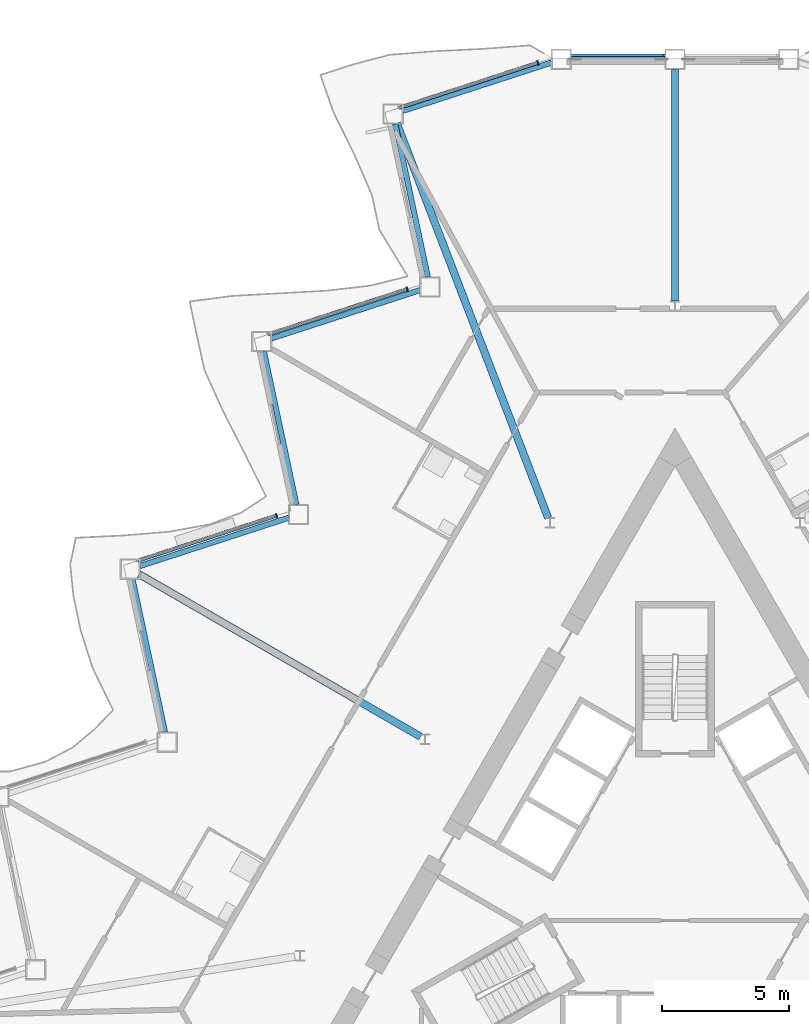
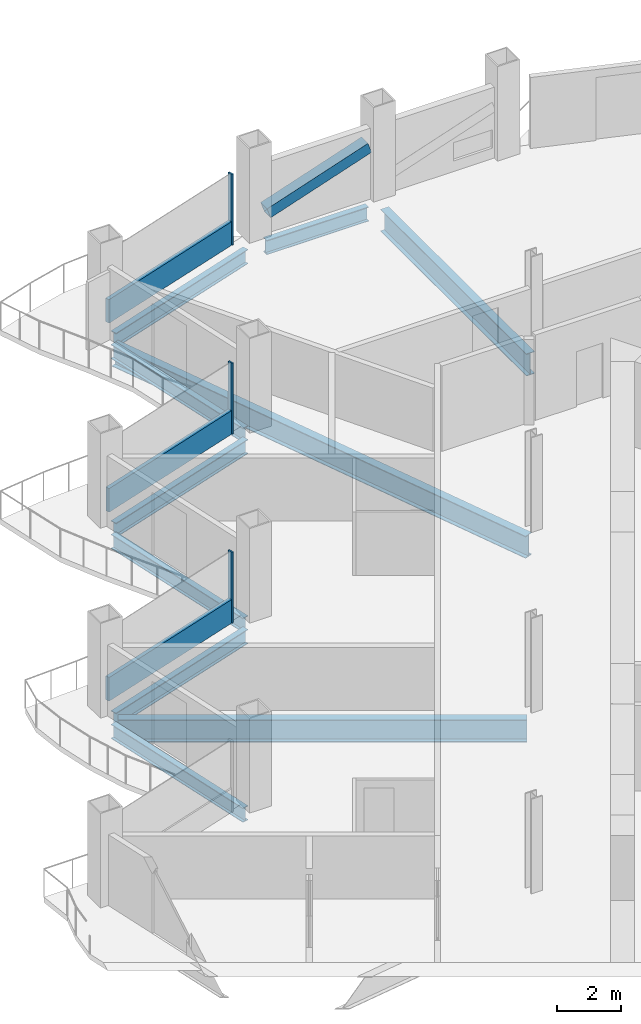
# One storey, part 7 of 22: 10 beams, 7 members, 3 elements without a shape of their own.
"""IFC4 building model written with IfcOpenShell, lengths in metres."""

from ifc_helpers import new_model, si_unit, direction, frame, origin, origin_2d, place, context, subcontext, project, spatial, rectangle, hollow_rectangle, i_section, extrude, material, layer, layer_set, material_profile, profile_set, type_object, element, aggregate, save


model = new_model("IFC4")

# Units and contexts
model_context = context("Model", 3, precision=1e-05, world=origin(), true_north=direction((0.0, 1.0)))
body_context = subcontext(model_context, "Body", "Model", "MODEL_VIEW")
ifc_project = project(units=[si_unit("LENGTHUNIT", "METRE"), si_unit("AREAUNIT", "SQUARE_METRE"), si_unit("VOLUMEUNIT", "CUBIC_METRE"), si_unit("PLANEANGLEUNIT", "RADIAN"), si_unit("MASSUNIT", "GRAM", prefix="KILO")], contexts=[model_context])

# Site, building, storey
site_placement = place(None, origin())
site = spatial("IfcSite", under=ifc_project, at=site_placement, CompositionType="ELEMENT")
building_placement = place(site_placement, origin())
building = spatial("IfcBuilding", under=site, at=building_placement, Name="Cormorant Prow Tower", CompositionType="ELEMENT")
storey_placement = place(building_placement, frame((0.0, 0.0, 198.0)))
storey = spatial("IfcBuildingStorey", under=building, at=storey_placement, Name="L43", CompositionType="ELEMENT", Elevation=198.0)

# Member
ifc_material_1 = material(Name="Structural steel ASTM A500 Gr C", Category="steel")
ifc_material_profile_1 = material_profile(ifc_material_1, hollow_rectangle(XDim=0.406494140625, YDim=0.406494140625, WallThickness=0.01171875, at=origin_2d()), Name="HSS16x16x1/2")
ifc_profile_set_1 = profile_set([ifc_material_profile_1], Name="Structural steel ASTM A500 Gr C")
member_type_1 = type_object("IfcMemberType", Name="Chamfer brace HSS16x16x1/2", PredefinedType="BRACE", material=ifc_profile_set_1)
member_1_placement = place(storey_placement, frame((-4.05322265625, 32.3994140625, 0.739990234375), z_axis=(0.947980792039, 0.0, 0.318327532464), x_axis=(0.0, 1.0, 0.0)))
element("IfcMember", 1, at=member_1_placement, inside=storey, type_object=member_type_1, Name="Chamfer brace BR2 at N01 L43", PredefinedType="BRACE", context=body_context, shape_type="SweptSolid", body=[
    extrude(hollow_rectangle(XDim=0.406494140625, YDim=0.406494140625, WallThickness=0.01171875, at=origin_2d()), origin(), (0.0, 0.0, 1.0), 3.83544921875),
])

# Curtain wall, member
ifc_material_2 = material(Name="Aluminium 6063-T6", Category="aluminium")
ifc_layer = layer(ifc_material_2, 0.179931640625)
ifc_layer_set = layer_set([ifc_layer], Name="Aluminium 6063-T6")
curtain_wall_type = type_object("IfcCurtainWallType", Name="Hotel unitised curtain wall 180", PredefinedType="NOTDEFINED", material=ifc_layer_set)
curtain_wall_1_placement = place(storey_placement, origin())
curtain_wall_1 = element("IfcCurtainWall", 2, at=curtain_wall_1_placement, inside=storey, type_object=curtain_wall_type, Name="Hotel curtain wall WNW00", PredefinedType="NOTDEFINED")
ifc_material_3 = material(Name="Aluminium 6063-T6", Category="aluminium")
ifc_material_profile_2 = material_profile(ifc_material_3, rectangle(XDim=0.179931640625, YDim=0.06005859375, at=origin_2d()), Name="Hotel mullion 60x180")
ifc_profile_set_2 = profile_set([ifc_material_profile_2], Name="Aluminium 6063-T6")
member_type_2 = type_object("IfcMemberType", Name="Hotel mullion 60x180", PredefinedType="MULLION", material=ifc_profile_set_2)
member_2_placement = place(storey_placement, frame((-5.388427734375, 32.26513671875, 0.0), z_axis=(0.0, 0.0, 1.0), x_axis=(0.309016940594, -0.95105653377, 0.0)))
member_2 = element("IfcMember", 3, at=member_2_placement, type_object=member_type_2, Name="Hotel mullion WNW00", PredefinedType="MULLION", context=body_context, shape_type="SweptSolid", body=[
    extrude(rectangle(XDim=0.179931640625, YDim=0.06005859375, at=origin_2d()), origin(), (0.0, 0.0, 1.0), 2.700927734375),
])

curtain_wall_2_placement = place(storey_placement, origin())
curtain_wall_2 = element("IfcCurtainWall", 4, at=curtain_wall_2_placement, inside=storey, type_object=curtain_wall_type, Name="Hotel curtain wall WNW02", PredefinedType="NOTDEFINED")
member_3_placement = place(storey_placement, frame((-10.52685546875, 23.364990234375, 0.0), z_axis=(0.0, 0.0, 1.0), x_axis=(0.309017113905, -0.951056477458, 0.0)))
member_3 = element("IfcMember", 5, at=member_3_placement, type_object=member_type_2, Name="Hotel mullion WNW02", PredefinedType="MULLION", context=body_context, shape_type="SweptSolid", body=[
    extrude(rectangle(XDim=0.179931640625, YDim=0.06005859375, at=origin_2d()), origin(), (0.0, 0.0, 1.0), 2.700927734375),
])

curtain_wall_3_placement = place(storey_placement, origin())
curtain_wall_3 = element("IfcCurtainWall", 6, at=curtain_wall_3_placement, inside=storey, type_object=curtain_wall_type, Name="Hotel curtain wall WNW04", PredefinedType="NOTDEFINED")
member_4_placement = place(storey_placement, frame((-15.66552734375, 14.46484375, 0.0), z_axis=(0.0, 0.0, 1.0), x_axis=(0.309016983088, -0.951056519963, 0.0)))
member_4 = element("IfcMember", 7, at=member_4_placement, type_object=member_type_2, Name="Hotel mullion WNW04", PredefinedType="MULLION", context=body_context, shape_type="SweptSolid", body=[
    extrude(rectangle(XDim=0.179931640625, YDim=0.06005859375, at=origin_2d()), origin(), (0.0, 0.0, 1.0), 2.700927734375),
])

# Member
ifc_material_4 = material(Name="Terracotta", Category="masonry")
ifc_material_profile_3 = material_profile(ifc_material_4, rectangle(XDim=0.139892578125, YDim=0.89990234375, at=origin_2d()), Name="Hotel terracotta spandrel rail 140x900")
ifc_profile_set_3 = profile_set([ifc_material_profile_3], Name="Terracotta")
member_type_3 = type_object("IfcMemberType", Name="Hotel terracotta spandrel rail 140x900", PredefinedType="USERDEFINED", material=ifc_profile_set_3)
member_5_placement = place(storey_placement, frame((-5.4169921875, 32.255859375, 0.449951171875), z_axis=(-0.951059478258, -0.309007878243, 0.0), x_axis=(0.309007878243, -0.951059478258, 0.0)))
member_5 = element("IfcMember", 8, at=member_5_placement, type_object=member_type_3, Name="Hotel spandrel rail WNW00", ObjectType="TRANSOM", PredefinedType="USERDEFINED", context=body_context, shape_type="SweptSolid", body=[
    extrude(rectangle(XDim=0.139892578125, YDim=0.89990234375, at=origin_2d()), origin(), (0.0, 0.0, 1.0), 5.718505859375),
])

aggregate(curtain_wall_1, [member_2, member_5])

member_6_placement = place(storey_placement, frame((-10.555419921875, 23.355712890625, 0.449951171875), z_axis=(-0.951059478258, -0.309007878243, 0.0), x_axis=(0.309007878243, -0.951059478258, 0.0)))
member_6 = element("IfcMember", 9, at=member_6_placement, type_object=member_type_3, Name="Hotel spandrel rail WNW02", ObjectType="TRANSOM", PredefinedType="USERDEFINED", context=body_context, shape_type="SweptSolid", body=[
    extrude(rectangle(XDim=0.139892578125, YDim=0.89990234375, at=origin_2d()), origin(), (0.0, 0.0, 1.0), 5.718505859375),
])

aggregate(curtain_wall_2, [member_3, member_6])

member_7_placement = place(storey_placement, frame((-15.694091796875, 14.45556640625, 0.449951171875), z_axis=(-0.951059478258, -0.309007878243, 0.0), x_axis=(0.309007878243, -0.951059478258, 0.0)))
member_7 = element("IfcMember", 10, at=member_7_placement, type_object=member_type_3, Name="Hotel spandrel rail WNW04", ObjectType="TRANSOM", PredefinedType="USERDEFINED", context=body_context, shape_type="SweptSolid", body=[
    extrude(rectangle(XDim=0.139892578125, YDim=0.89990234375, at=origin_2d()), origin(), (0.0, 0.0, 1.0), 5.718505859375),
])

aggregate(curtain_wall_3, [member_4, member_7])

# Beams
ifc_material_5 = material(Name="Structural steel ASTM A992 Gr 50", Category="steel")
ifc_material_profile_4 = material_profile(ifc_material_5, i_section(OverallWidth=0.29296875, OverallDepth=0.845703125, WebThickness=0.015380859375, FlangeThickness=0.0244140625, at=origin_2d()), Name="W33x141")
ifc_profile_set_4 = profile_set([ifc_material_profile_4], Name="Structural steel ASTM A992 Gr 50")
beam_type_1 = type_object("IfcBeamType", Name="Radial floor beam W33x141", PredefinedType="BEAM", material=ifc_profile_set_4)
beam_1_placement = place(storey_placement, frame((0.0, 22.901611328125, -0.77294921875), z_axis=(0.0, 1.0, 0.0), x_axis=(-1.0, 0.0, 0.0)))
element("IfcBeam", 11, at=beam_1_placement, inside=storey, type_object=beam_type_1, Name="Radial floor beam FB2 1 L43", PredefinedType="BEAM", context=body_context, shape_type="SweptSolid", body=[
    extrude(i_section(OverallWidth=0.29296875, OverallDepth=0.845703125, WebThickness=0.015380859375, FlangeThickness=0.0244140625, at=origin_2d()), origin(), (0.0, 0.0, 1.0), 9.097900390625),
])
beam_2_placement = place(storey_placement, frame((-4.9873046875, 14.376220703125, -0.77294921875), z_axis=(-0.358301123829, 0.933606075742, 0.0), x_axis=(-0.933606075742, -0.358301123829, 0.0)))
element("IfcBeam", 12, at=beam_2_placement, inside=storey, type_object=beam_type_1, Name="Radial floor beam FB2 2 L43", PredefinedType="BEAM", context=body_context, shape_type="SweptSolid", body=[
    extrude(i_section(OverallWidth=0.29296875, OverallDepth=0.845703125, WebThickness=0.015380859375, FlangeThickness=0.0244140625, at=origin_2d()), origin(), (0.0, 0.0, 1.0), 16.604736328125),
])
beam_3_placement = place(storey_placement, frame((-10.0048828125, 5.7763671875, -0.77294921875), z_axis=(-0.866026069776, 0.499998846467, 0.0), x_axis=(-0.499998846467, -0.866026069776, 0.0)))
element("IfcBeam", 13, at=beam_3_placement, inside=storey, type_object=beam_type_1, Name="Radial floor beam FB2 3 L43", PredefinedType="BEAM", context=body_context, shape_type="SweptSolid", body=[
    extrude(i_section(OverallWidth=0.29296875, OverallDepth=0.845703125, WebThickness=0.015380859375, FlangeThickness=0.0244140625, at=origin_2d()), origin(), (0.0, 0.0, 1.0), 12.76904296875),
])
ifc_material_6 = material(Name="Structural steel ASTM A992 Gr 50", Category="steel")
ifc_material_profile_5 = material_profile(ifc_material_6, i_section(OverallWidth=0.2138671875, OverallDepth=0.549072265625, WebThickness=0.0146484375, FlangeThickness=0.023681640625, at=origin_2d()), Name="W21x93")
ifc_profile_set_5 = profile_set([ifc_material_profile_5], Name="Structural steel ASTM A992 Gr 50")
beam_type_2 = type_object("IfcBeamType", Name="Spandrel beam W21x93", PredefinedType="SPANDREL", material=ifc_profile_set_5)
beam_4_placement = place(storey_placement, frame((-0.39990234375, 32.3994140625, -0.62451171875), z_axis=(-1.0, 0.0, 0.0), x_axis=(0.0, -1.0, 0.0)))
element("IfcBeam", 14, at=beam_4_placement, inside=storey, type_object=beam_type_2, Name="Spandrel beam SB2 N01-WNW00 L43", PredefinedType="SPANDREL", context=body_context, shape_type="SweptSolid", body=[
    extrude(i_section(OverallWidth=0.2138671875, OverallDepth=0.549072265625, WebThickness=0.0146484375, FlangeThickness=0.023681640625, at=origin_2d()), origin(), (0.0, 0.0, 1.0), 3.67041015625),
])
beam_5_placement = place(storey_placement, frame((-4.850830078125, 32.27587890625, -0.62451171875), z_axis=(-0.951057696564, -0.309013361859, 0.0), x_axis=(0.309013361859, -0.951057696564, 0.0)))
element("IfcBeam", 15, at=beam_5_placement, inside=storey, type_object=beam_type_2, Name="Spandrel beam SB2 WNW00-WNW01 L43", PredefinedType="SPANDREL", context=body_context, shape_type="SweptSolid", body=[
    extrude(i_section(OverallWidth=0.2138671875, OverallDepth=0.549072265625, WebThickness=0.0146484375, FlangeThickness=0.023681640625, at=origin_2d()), origin(), (0.0, 0.0, 1.0), 6.14990234375),
])
beam_6_placement = place(storey_placement, frame((-10.996826171875, 29.860595703125, -0.62451171875), z_axis=(0.207904811195, -0.978149063018, 0.0), x_axis=(0.978149063018, 0.207904811195, 0.0)))
element("IfcBeam", 16, at=beam_6_placement, inside=storey, type_object=beam_type_2, Name="Spandrel beam SB2 WNW01-WNW02 L43", PredefinedType="SPANDREL", context=body_context, shape_type="SweptSolid", body=[
    extrude(i_section(OverallWidth=0.2138671875, OverallDepth=0.549072265625, WebThickness=0.0146484375, FlangeThickness=0.023681640625, at=origin_2d()), origin(), (0.0, 0.0, 1.0), 6.149658203125),
])
beam_7_placement = place(storey_placement, frame((-10.015625, 23.330322265625, -0.62451171875), z_axis=(-0.951057696564, -0.309013361859, 0.0), x_axis=(0.309013361859, -0.951057696564, 0.0)))
element("IfcBeam", 17, at=beam_7_placement, inside=storey, type_object=beam_type_2, Name="Spandrel beam SB2 WNW02-WNW03 L43", PredefinedType="SPANDREL", context=body_context, shape_type="SweptSolid", body=[
    extrude(i_section(OverallWidth=0.2138671875, OverallDepth=0.549072265625, WebThickness=0.0146484375, FlangeThickness=0.023681640625, at=origin_2d()), origin(), (0.0, 0.0, 1.0), 6.14990234375),
])
beam_8_placement = place(storey_placement, frame((-16.16162109375, 20.9150390625, -0.62451171875), z_axis=(0.207904811195, -0.978149063018, 0.0), x_axis=(0.978149063018, 0.207904811195, 0.0)))
element("IfcBeam", 18, at=beam_8_placement, inside=storey, type_object=beam_type_2, Name="Spandrel beam SB2 WNW03-WNW04 L43", PredefinedType="SPANDREL", context=body_context, shape_type="SweptSolid", body=[
    extrude(i_section(OverallWidth=0.2138671875, OverallDepth=0.549072265625, WebThickness=0.0146484375, FlangeThickness=0.023681640625, at=origin_2d()), origin(), (0.0, 0.0, 1.0), 6.149658203125),
])
beam_9_placement = place(storey_placement, frame((-15.18017578125, 14.384765625, -0.62451171875), z_axis=(-0.951057696564, -0.309013361859, 0.0), x_axis=(0.309013361859, -0.951057696564, 0.0)))
element("IfcBeam", 19, at=beam_9_placement, inside=storey, type_object=beam_type_2, Name="Spandrel beam SB2 WNW04-WNW05 L43", PredefinedType="SPANDREL", context=body_context, shape_type="SweptSolid", body=[
    extrude(i_section(OverallWidth=0.2138671875, OverallDepth=0.549072265625, WebThickness=0.0146484375, FlangeThickness=0.023681640625, at=origin_2d()), origin(), (0.0, 0.0, 1.0), 6.14990234375),
])
beam_10_placement = place(storey_placement, frame((-21.326416015625, 11.969482421875, -0.62451171875), z_axis=(0.207904811195, -0.978149063018, 0.0), x_axis=(0.978149063018, 0.207904811195, 0.0)))
element("IfcBeam", 20, at=beam_10_placement, inside=storey, type_object=beam_type_2, Name="Spandrel beam SB2 WNW05-WNW06 L43", PredefinedType="SPANDREL", context=body_context, shape_type="SweptSolid", body=[
    extrude(i_section(OverallWidth=0.2138671875, OverallDepth=0.549072265625, WebThickness=0.0146484375, FlangeThickness=0.023681640625, at=origin_2d()), origin(), (0.0, 0.0, 1.0), 6.149658203125),
])

save(model, "model.ifc")
